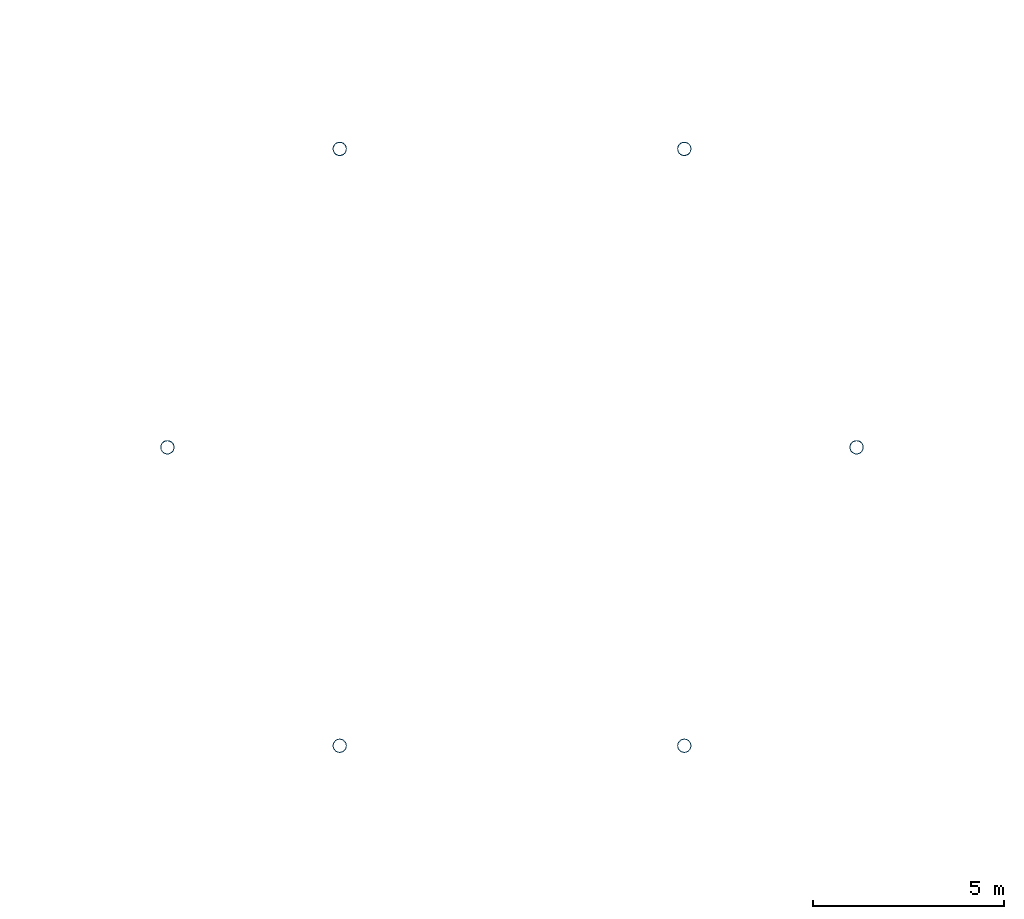
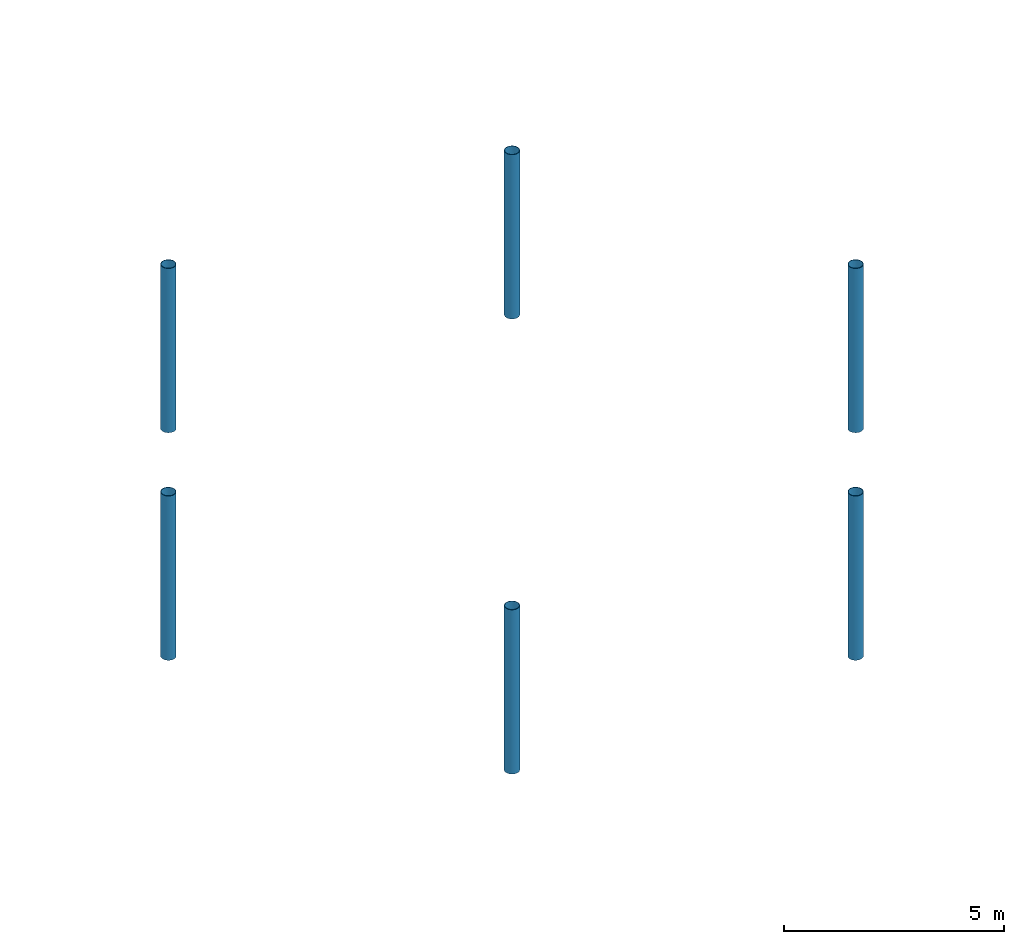
# One storey, part 8 of 157: 6 columns.
"""IFC4 building model written with IfcOpenShell, lengths in metres."""

from ifc_helpers import new_model, si_unit, direction, frame, origin, origin_2d, place, context, subcontext, project, spatial, hollow_circle, extrude, material, material_profile, profile_set, type_object, element, save


model = new_model("IFC4")

# Units and contexts
model_context = context("Model", 3, precision=1e-05, world=origin(), true_north=direction((0.0, 1.0)))
body_context = subcontext(model_context, "Body", "Model", "MODEL_VIEW")
ifc_project = project(units=[si_unit("LENGTHUNIT", "METRE"), si_unit("AREAUNIT", "SQUARE_METRE"), si_unit("VOLUMEUNIT", "CUBIC_METRE"), si_unit("PLANEANGLEUNIT", "RADIAN"), si_unit("MASSUNIT", "GRAM", prefix="KILO")], contexts=[model_context])

# Site, building, storey
site_placement = place(None, origin())
site = spatial("IfcSite", under=ifc_project, at=site_placement, CompositionType="ELEMENT")
building_placement = place(site_placement, origin())
building = spatial("IfcBuilding", under=site, at=building_placement, Name="Almandine Court Research Institute", CompositionType="ELEMENT")
storey_placement = place(building_placement, frame((0.0, 0.0, 5.25)))
storey = spatial("IfcBuildingStorey", under=building, at=storey_placement, Name="L01", CompositionType="ELEMENT", Elevation=5.25)

# Columns
ifc_material = material(Name="Steel ASTM A500 Grade C", Category="steel")
ifc_material_profile = material_profile(ifc_material, hollow_circle(Radius=0.177978515625, WallThickness=0.011962890625, at=origin_2d()), Name="CHS 356x12")
ifc_profile_set = profile_set([ifc_material_profile], Name="Steel ASTM A500 Grade C")
column_type = type_object("IfcColumnType", Name="Col-C-AT1", PredefinedType="COLUMN", material=ifc_profile_set)
for number, where, z_axis, x_axis, name in (
    (1, (96.0, 56.0, 0.0), (0.0, 0.0, 1.0), (1.0, 0.0, 0.0), "L01 V2-IN Column V2-OCU-C1"),
    (2, (91.5, 63.7939453125, 0.0), (0.0, 0.0, 1.0), (1.0, 0.0, 0.0), "L01 V2-IN Column V2-OCU-C2"),
    (3, (82.5, 63.7939453125, 0.0), (0.0, 0.0, 1.0), (1.0, 0.0, 0.0), "L01 V2-IN Column V2-OCU-C3"),
    (4, (78.0, 56.0, 0.0), (0.0, 0.0, 1.0), (1.0, 0.0, 0.0), "L01 V2-IN Column V2-OCU-C4"),
    (5, (82.5, 48.2060546875, 0.0), (0.0, 0.0, 1.0), (1.0, 0.0, 0.0), "L01 V2-IN Column V2-OCU-C5"),
    (6, (91.5, 48.2060546875, 0.0), (0.0, 0.0, 1.0), (1.0, 0.0, 0.0), "L01 V2-IN Column V2-OCU-C6"),
):
    element("IfcColumn", number, at=place(storey_placement, frame(where, z_axis=z_axis, x_axis=x_axis)), inside=storey, type_object=column_type, Name=name, PredefinedType="COLUMN", context=body_context, shape_type="SweptSolid", body=[
        extrude(hollow_circle(Radius=0.177978515625, WallThickness=0.011962890625, at=origin_2d()), origin(), (0.0, 0.0, 1.0), 4.550048828125),
    ])

save(model, "model.ifc")
